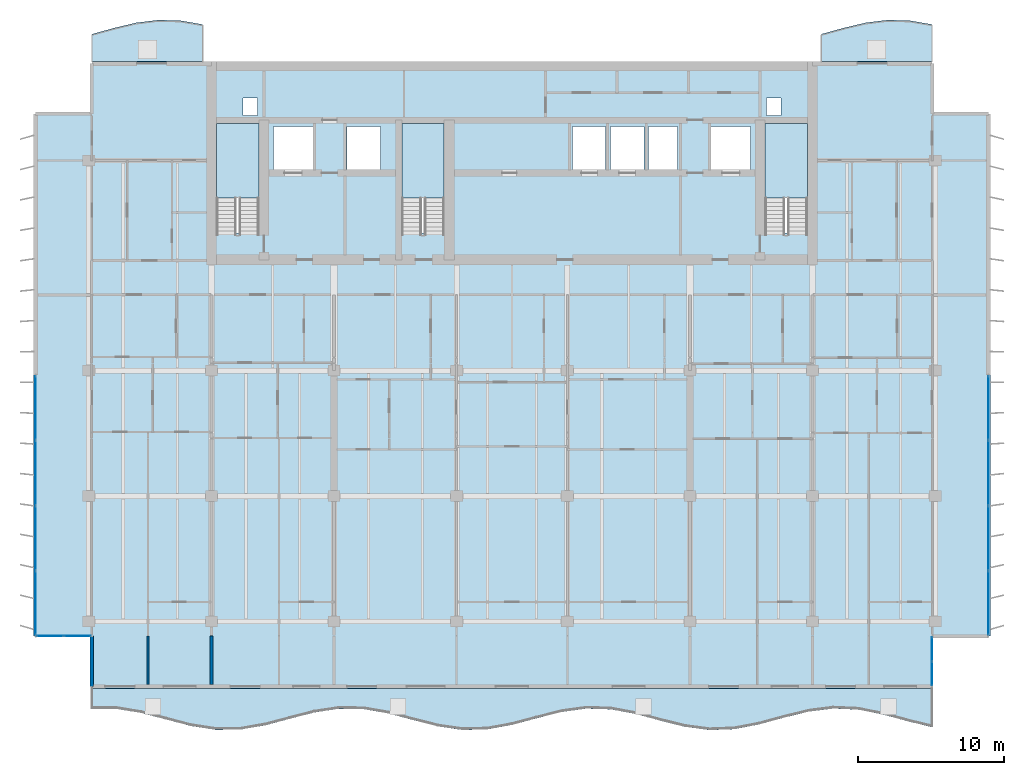
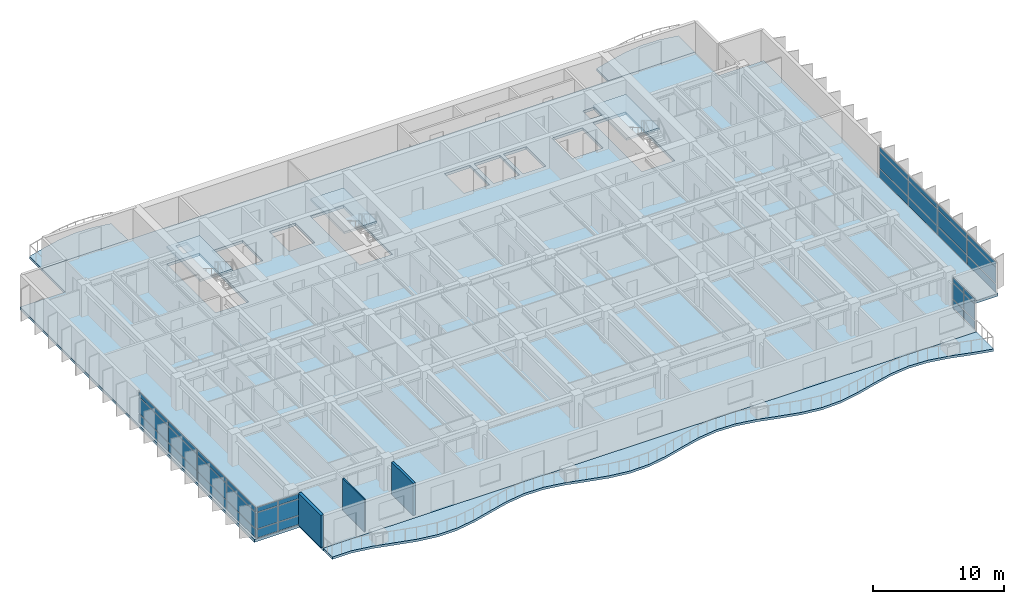
# One storey, part 7 of 18: 36 plates, 7 slabs, 3 walls, 7 elements without a shape of their own.
"""IFC4 building model written with IfcOpenShell, lengths in metres."""

from ifc_helpers import new_model, si_unit, direction, frame, frame_2d, origin, origin_2d, place, context, subcontext, project, spatial, polyline, rectangle, outline, extrude, material, layer, layer_set, type_object, element, aggregate, save


model = new_model("IFC4")

# Units and contexts
model_context = context("Model", 3, precision=1e-05, world=origin(), true_north=direction((0.0, 1.0)))
body_context = subcontext(model_context, "Body", "Model", "MODEL_VIEW")
ifc_project = project(units=[si_unit("LENGTHUNIT", "METRE"), si_unit("AREAUNIT", "SQUARE_METRE"), si_unit("VOLUMEUNIT", "CUBIC_METRE"), si_unit("PLANEANGLEUNIT", "RADIAN"), si_unit("MASSUNIT", "GRAM", prefix="KILO")], contexts=[model_context])

# Site, building, storey
site_placement = place(None, origin())
site = spatial("IfcSite", under=ifc_project, at=site_placement, CompositionType="ELEMENT")
building_placement = place(site_placement, origin())
building = spatial("IfcBuilding", under=site, at=building_placement, Name="Caelmar Bay Residences", CompositionType="ELEMENT")
storey_placement = place(building_placement, frame((0.0, 0.0, 180.300048828125)))
storey = spatial("IfcBuildingStorey", under=building, at=storey_placement, Name="L50", CompositionType="ELEMENT", Elevation=180.300048828125)

# Curtain wall, plates
ifc_material_1 = material(Name="Anodised bronze aluminium 6063-T6 and laminated glass", Category="aluminium")
ifc_layer_1 = layer(ifc_material_1, 0.179931640625)
ifc_layer_set_1 = layer_set([ifc_layer_1], Name="Anodised bronze aluminium 6063-T6 and laminated glass")
curtain_wall_type_1 = type_object("IfcCurtainWallType", Name="CW6-NTC", PredefinedType="NOTDEFINED", material=ifc_layer_set_1)
curtain_wall_1_placement = place(storey_placement, origin())
curtain_wall_1 = element("IfcCurtainWall", 1, at=curtain_wall_1_placement, inside=storey, type_object=curtain_wall_type_1, Name="CW6 curtain wall L50", PredefinedType="NOTDEFINED")
ifc_material_2 = material(Name="Bronze-tinted laminated low-E hurricane glass 28 mm", Category="glass")
ifc_layer_2 = layer(ifc_material_2, 0.028076171875)
ifc_layer_set_2 = layer_set([ifc_layer_2], Name="Bronze-tinted laminated low-E hurricane glass 28 mm")
plate_type = type_object("IfcPlateType", Name="CWP-GLZ28", PredefinedType="CURTAIN_PANEL", material=ifc_layer_set_2)
plate_1_placement = place(storey_placement, frame((7.232421875, 11.199951171875, 0.080078125), z_axis=(0.0, 0.0, 1.0), x_axis=(1.0, 0.0, 0.0)))
plate_1 = element("IfcPlate", 2, at=plate_1_placement, type_object=plate_type, Name="CW6 panel 1.1", PredefinedType="CURTAIN_PANEL", context=body_context, shape_type="SweptSolid", body=[
    extrude(rectangle(XDim=1.804931640625, YDim=0.028076171875, at=origin_2d()), origin(), (0.0, 0.0, 1.0), 0.780029296875),
])
plate_2_placement = place(storey_placement, frame((7.232421875, 11.199951171875, 0.93994140625), z_axis=(0.0, 0.0, 1.0), x_axis=(1.0, 0.0, 0.0)))
plate_2 = element("IfcPlate", 3, at=plate_2_placement, type_object=plate_type, Name="CW6 panel 1.2", PredefinedType="CURTAIN_PANEL", context=body_context, shape_type="SweptSolid", body=[
    extrude(rectangle(XDim=1.804931640625, YDim=0.028076171875, at=origin_2d()), origin(), (0.0, 0.0, 1.0), 1.469970703125),
])
plate_3_placement = place(storey_placement, frame((7.232421875, 11.199951171875, 2.48974609375), z_axis=(0.0, 0.0, 1.0), x_axis=(1.0, 0.0, 0.0)))
plate_3 = element("IfcPlate", 4, at=plate_3_placement, type_object=plate_type, Name="CW6 panel 1.3", PredefinedType="CURTAIN_PANEL", context=body_context, shape_type="SweptSolid", body=[
    extrude(rectangle(XDim=1.804931640625, YDim=0.028076171875, at=origin_2d()), origin(), (0.0, 0.0, 1.0), 0.429931640625),
])
plate_4_placement = place(storey_placement, frame((9.117431640625, 11.199951171875, 0.080078125), z_axis=(0.0, 0.0, 1.0), x_axis=(1.0, 0.0, 0.0)))
plate_4 = element("IfcPlate", 5, at=plate_4_placement, type_object=plate_type, Name="CW6 panel 2.1", PredefinedType="CURTAIN_PANEL", context=body_context, shape_type="SweptSolid", body=[
    extrude(rectangle(XDim=1.804931640625, YDim=0.028076171875, at=origin_2d()), origin(), (0.0, 0.0, 1.0), 0.780029296875),
])
plate_5_placement = place(storey_placement, frame((9.117431640625, 11.199951171875, 0.93994140625), z_axis=(0.0, 0.0, 1.0), x_axis=(1.0, 0.0, 0.0)))
plate_5 = element("IfcPlate", 6, at=plate_5_placement, type_object=plate_type, Name="CW6 panel 2.2", PredefinedType="CURTAIN_PANEL", context=body_context, shape_type="SweptSolid", body=[
    extrude(rectangle(XDim=1.804931640625, YDim=0.028076171875, at=origin_2d()), origin(), (0.0, 0.0, 1.0), 1.469970703125),
])
plate_6_placement = place(storey_placement, frame((9.117431640625, 11.199951171875, 2.48974609375), z_axis=(0.0, 0.0, 1.0), x_axis=(1.0, 0.0, 0.0)))
plate_6 = element("IfcPlate", 7, at=plate_6_placement, type_object=plate_type, Name="CW6 panel 2.3", PredefinedType="CURTAIN_PANEL", context=body_context, shape_type="SweptSolid", body=[
    extrude(rectangle(XDim=1.804931640625, YDim=0.028076171875, at=origin_2d()), origin(), (0.0, 0.0, 1.0), 0.429931640625),
])
aggregate(curtain_wall_1, [plate_1, plate_2, plate_3, plate_4, plate_5, plate_6])

curtain_wall_2_placement = place(storey_placement, origin())
curtain_wall_2 = element("IfcCurtainWall", 8, at=curtain_wall_2_placement, inside=storey, type_object=curtain_wall_type_1, Name="CW6 curtain wall L50", PredefinedType="NOTDEFINED")
plate_7_placement = place(storey_placement, frame((67.699951171875, 8.632568359375, 0.080078125), z_axis=(0.0, 0.0, 1.0), x_axis=(0.0, 1.0, 0.0)))
plate_7 = element("IfcPlate", 9, at=plate_7_placement, type_object=plate_type, Name="CW6 panel 1.1", PredefinedType="CURTAIN_PANEL", context=body_context, shape_type="SweptSolid", body=[
    extrude(rectangle(XDim=1.60498046875, YDim=0.028076171875, at=origin_2d()), origin(), (0.0, 0.0, 1.0), 0.780029296875),
])
plate_8_placement = place(storey_placement, frame((67.699951171875, 8.632568359375, 0.93994140625), z_axis=(0.0, 0.0, 1.0), x_axis=(0.0, 1.0, 0.0)))
plate_8 = element("IfcPlate", 10, at=plate_8_placement, type_object=plate_type, Name="CW6 panel 1.2", PredefinedType="CURTAIN_PANEL", context=body_context, shape_type="SweptSolid", body=[
    extrude(rectangle(XDim=1.60498046875, YDim=0.028076171875, at=origin_2d()), origin(), (0.0, 0.0, 1.0), 1.469970703125),
])
plate_9_placement = place(storey_placement, frame((67.699951171875, 8.632568359375, 2.48974609375), z_axis=(0.0, 0.0, 1.0), x_axis=(0.0, 1.0, 0.0)))
plate_9 = element("IfcPlate", 11, at=plate_9_placement, type_object=plate_type, Name="CW6 panel 1.3", PredefinedType="CURTAIN_PANEL", context=body_context, shape_type="SweptSolid", body=[
    extrude(rectangle(XDim=1.60498046875, YDim=0.028076171875, at=origin_2d()), origin(), (0.0, 0.0, 1.0), 0.429931640625),
])
plate_10_placement = place(storey_placement, frame((67.699951171875, 10.3173828125, 0.080078125), z_axis=(0.0, 0.0, 1.0), x_axis=(0.0, 1.0, 0.0)))
plate_10 = element("IfcPlate", 12, at=plate_10_placement, type_object=plate_type, Name="CW6 panel 2.1", PredefinedType="CURTAIN_PANEL", context=body_context, shape_type="SweptSolid", body=[
    extrude(rectangle(XDim=1.60498046875, YDim=0.028076171875, at=origin_2d()), origin(), (0.0, 0.0, 1.0), 0.780029296875),
])
plate_11_placement = place(storey_placement, frame((67.699951171875, 10.3173828125, 0.93994140625), z_axis=(0.0, 0.0, 1.0), x_axis=(0.0, 1.0, 0.0)))
plate_11 = element("IfcPlate", 13, at=plate_11_placement, type_object=plate_type, Name="CW6 panel 2.2", PredefinedType="CURTAIN_PANEL", context=body_context, shape_type="SweptSolid", body=[
    extrude(rectangle(XDim=1.60498046875, YDim=0.028076171875, at=origin_2d()), origin(), (0.0, 0.0, 1.0), 1.469970703125),
])
plate_12_placement = place(storey_placement, frame((67.699951171875, 10.3173828125, 2.48974609375), z_axis=(0.0, 0.0, 1.0), x_axis=(0.0, 1.0, 0.0)))
plate_12 = element("IfcPlate", 14, at=plate_12_placement, type_object=plate_type, Name="CW6 panel 2.3", PredefinedType="CURTAIN_PANEL", context=body_context, shape_type="SweptSolid", body=[
    extrude(rectangle(XDim=1.60498046875, YDim=0.028076171875, at=origin_2d()), origin(), (0.0, 0.0, 1.0), 0.429931640625),
])
aggregate(curtain_wall_2, [plate_7, plate_8, plate_9, plate_10, plate_11, plate_12])

ifc_layer_3 = layer(ifc_material_1, 0.179931640625)
ifc_layer_set_3 = layer_set([ifc_layer_3], Name="Anodised bronze aluminium 6063-T6 and laminated glass")
curtain_wall_type_2 = type_object("IfcCurtainWallType", Name="CW4-Z3", PredefinedType="NOTDEFINED", material=ifc_layer_set_3)
curtain_wall_3_placement = place(storey_placement, origin())
curtain_wall_3 = element("IfcCurtainWall", 15, at=curtain_wall_3_placement, inside=storey, type_object=curtain_wall_type_2, Name="CW4 curtain wall L50", PredefinedType="NOTDEFINED")
plate_13_placement = place(storey_placement, frame((6.25, 13.45751953125, 0.080078125), z_axis=(0.0, 0.0, 1.0), x_axis=(0.0, 1.0, 0.0)))
plate_13 = element("IfcPlate", 16, at=plate_13_placement, type_object=plate_type, Name="CW4 panel 1.1", PredefinedType="CURTAIN_PANEL", context=body_context, shape_type="SweptSolid", body=[
    extrude(rectangle(XDim=4.35498046875, YDim=0.028076171875, at=origin_2d()), origin(), (0.0, 0.0, 1.0), 0.780029296875),
])
plate_14_placement = place(storey_placement, frame((6.25, 13.45751953125, 0.93994140625), z_axis=(0.0, 0.0, 1.0), x_axis=(0.0, 1.0, 0.0)))
plate_14 = element("IfcPlate", 17, at=plate_14_placement, type_object=plate_type, Name="CW4 panel 1.2", PredefinedType="CURTAIN_PANEL", context=body_context, shape_type="SweptSolid", body=[
    extrude(rectangle(XDim=4.35498046875, YDim=0.028076171875, at=origin_2d()), origin(), (0.0, 0.0, 1.0), 1.469970703125),
])
plate_15_placement = place(storey_placement, frame((6.25, 13.45751953125, 2.48974609375), z_axis=(0.0, 0.0, 1.0), x_axis=(0.0, 1.0, 0.0)))
plate_15 = element("IfcPlate", 18, at=plate_15_placement, type_object=plate_type, Name="CW4 panel 1.3", PredefinedType="CURTAIN_PANEL", context=body_context, shape_type="SweptSolid", body=[
    extrude(rectangle(XDim=4.35498046875, YDim=0.028076171875, at=origin_2d()), origin(), (0.0, 0.0, 1.0), 0.429931640625),
])
plate_16_placement = place(storey_placement, frame((6.25, 17.91259765625, 0.080078125), z_axis=(0.0, 0.0, 1.0), x_axis=(0.0, 1.0, 0.0)))
plate_16 = element("IfcPlate", 19, at=plate_16_placement, type_object=plate_type, Name="CW4 panel 2.1", PredefinedType="CURTAIN_PANEL", context=body_context, shape_type="SweptSolid", body=[
    extrude(rectangle(XDim=4.39501953125, YDim=0.028076171875, at=origin_2d()), origin(), (0.0, 0.0, 1.0), 0.780029296875),
])
plate_17_placement = place(storey_placement, frame((6.25, 17.91259765625, 0.93994140625), z_axis=(0.0, 0.0, 1.0), x_axis=(0.0, 1.0, 0.0)))
plate_17 = element("IfcPlate", 20, at=plate_17_placement, type_object=plate_type, Name="CW4 panel 2.2", PredefinedType="CURTAIN_PANEL", context=body_context, shape_type="SweptSolid", body=[
    extrude(rectangle(XDim=4.39501953125, YDim=0.028076171875, at=origin_2d()), origin(), (0.0, 0.0, 1.0), 1.469970703125),
])
plate_18_placement = place(storey_placement, frame((6.25, 17.91259765625, 2.48974609375), z_axis=(0.0, 0.0, 1.0), x_axis=(0.0, 1.0, 0.0)))
plate_18 = element("IfcPlate", 21, at=plate_18_placement, type_object=plate_type, Name="CW4 panel 2.3", PredefinedType="CURTAIN_PANEL", context=body_context, shape_type="SweptSolid", body=[
    extrude(rectangle(XDim=4.39501953125, YDim=0.028076171875, at=origin_2d()), origin(), (0.0, 0.0, 1.0), 0.429931640625),
])
plate_19_placement = place(storey_placement, frame((6.25, 22.387451171875, 0.080078125), z_axis=(0.0, 0.0, 1.0), x_axis=(0.0, 1.0, 0.0)))
plate_19 = element("IfcPlate", 22, at=plate_19_placement, type_object=plate_type, Name="CW4 panel 3.1", PredefinedType="CURTAIN_PANEL", context=body_context, shape_type="SweptSolid", body=[
    extrude(rectangle(XDim=4.39501953125, YDim=0.028076171875, at=origin_2d()), origin(), (0.0, 0.0, 1.0), 0.780029296875),
])
plate_20_placement = place(storey_placement, frame((6.25, 22.387451171875, 0.93994140625), z_axis=(0.0, 0.0, 1.0), x_axis=(0.0, 1.0, 0.0)))
plate_20 = element("IfcPlate", 23, at=plate_20_placement, type_object=plate_type, Name="CW4 panel 3.2", PredefinedType="CURTAIN_PANEL", context=body_context, shape_type="SweptSolid", body=[
    extrude(rectangle(XDim=4.39501953125, YDim=0.028076171875, at=origin_2d()), origin(), (0.0, 0.0, 1.0), 1.469970703125),
])
plate_21_placement = place(storey_placement, frame((6.25, 22.387451171875, 2.48974609375), z_axis=(0.0, 0.0, 1.0), x_axis=(0.0, 1.0, 0.0)))
plate_21 = element("IfcPlate", 24, at=plate_21_placement, type_object=plate_type, Name="CW4 panel 3.3", PredefinedType="CURTAIN_PANEL", context=body_context, shape_type="SweptSolid", body=[
    extrude(rectangle(XDim=4.39501953125, YDim=0.028076171875, at=origin_2d()), origin(), (0.0, 0.0, 1.0), 0.429931640625),
])
plate_22_placement = place(storey_placement, frame((6.25, 26.842529296875, 0.080078125), z_axis=(0.0, 0.0, 1.0), x_axis=(0.0, 1.0, 0.0)))
plate_22 = element("IfcPlate", 25, at=plate_22_placement, type_object=plate_type, Name="CW4 panel 4.1", PredefinedType="CURTAIN_PANEL", context=body_context, shape_type="SweptSolid", body=[
    extrude(rectangle(XDim=4.35498046875, YDim=0.028076171875, at=origin_2d()), origin(), (0.0, 0.0, 1.0), 0.780029296875),
])
plate_23_placement = place(storey_placement, frame((6.25, 26.842529296875, 0.93994140625), z_axis=(0.0, 0.0, 1.0), x_axis=(0.0, 1.0, 0.0)))
plate_23 = element("IfcPlate", 26, at=plate_23_placement, type_object=plate_type, Name="CW4 panel 4.2", PredefinedType="CURTAIN_PANEL", context=body_context, shape_type="SweptSolid", body=[
    extrude(rectangle(XDim=4.35498046875, YDim=0.028076171875, at=origin_2d()), origin(), (0.0, 0.0, 1.0), 1.469970703125),
])
plate_24_placement = place(storey_placement, frame((6.25, 26.842529296875, 2.48974609375), z_axis=(0.0, 0.0, 1.0), x_axis=(0.0, 1.0, 0.0)))
plate_24 = element("IfcPlate", 27, at=plate_24_placement, type_object=plate_type, Name="CW4 panel 4.3", PredefinedType="CURTAIN_PANEL", context=body_context, shape_type="SweptSolid", body=[
    extrude(rectangle(XDim=4.35498046875, YDim=0.028076171875, at=origin_2d()), origin(), (0.0, 0.0, 1.0), 0.429931640625),
])
aggregate(curtain_wall_3, [plate_13, plate_14, plate_15, plate_16, plate_17, plate_18, plate_19, plate_20, plate_21, plate_22, plate_23, plate_24])

curtain_wall_4_placement = place(storey_placement, origin())
curtain_wall_4 = element("IfcCurtainWall", 28, at=curtain_wall_4_placement, inside=storey, type_object=curtain_wall_type_2, Name="CW4 curtain wall L50", PredefinedType="NOTDEFINED")
plate_25_placement = place(storey_placement, frame((71.550048828125, 26.842529296875, 0.080078125), z_axis=(0.0, 0.0, 1.0), x_axis=(0.0, -1.0, 0.0)))
plate_25 = element("IfcPlate", 29, at=plate_25_placement, type_object=plate_type, Name="CW4 panel 1.1", PredefinedType="CURTAIN_PANEL", context=body_context, shape_type="SweptSolid", body=[
    extrude(rectangle(XDim=4.35498046875, YDim=0.028076171875, at=origin_2d()), origin(), (0.0, 0.0, 1.0), 0.780029296875),
])
plate_26_placement = place(storey_placement, frame((71.550048828125, 26.842529296875, 0.93994140625), z_axis=(0.0, 0.0, 1.0), x_axis=(0.0, -1.0, 0.0)))
plate_26 = element("IfcPlate", 30, at=plate_26_placement, type_object=plate_type, Name="CW4 panel 1.2", PredefinedType="CURTAIN_PANEL", context=body_context, shape_type="SweptSolid", body=[
    extrude(rectangle(XDim=4.35498046875, YDim=0.028076171875, at=origin_2d()), origin(), (0.0, 0.0, 1.0), 1.469970703125),
])
plate_27_placement = place(storey_placement, frame((71.550048828125, 26.842529296875, 2.48974609375), z_axis=(0.0, 0.0, 1.0), x_axis=(0.0, -1.0, 0.0)))
plate_27 = element("IfcPlate", 31, at=plate_27_placement, type_object=plate_type, Name="CW4 panel 1.3", PredefinedType="CURTAIN_PANEL", context=body_context, shape_type="SweptSolid", body=[
    extrude(rectangle(XDim=4.35498046875, YDim=0.028076171875, at=origin_2d()), origin(), (0.0, 0.0, 1.0), 0.429931640625),
])
plate_28_placement = place(storey_placement, frame((71.550048828125, 22.387451171875, 0.080078125), z_axis=(0.0, 0.0, 1.0), x_axis=(0.0, -1.0, 0.0)))
plate_28 = element("IfcPlate", 32, at=plate_28_placement, type_object=plate_type, Name="CW4 panel 2.1", PredefinedType="CURTAIN_PANEL", context=body_context, shape_type="SweptSolid", body=[
    extrude(rectangle(XDim=4.39501953125, YDim=0.028076171875, at=origin_2d()), origin(), (0.0, 0.0, 1.0), 0.780029296875),
])
plate_29_placement = place(storey_placement, frame((71.550048828125, 22.387451171875, 0.93994140625), z_axis=(0.0, 0.0, 1.0), x_axis=(0.0, -1.0, 0.0)))
plate_29 = element("IfcPlate", 33, at=plate_29_placement, type_object=plate_type, Name="CW4 panel 2.2", PredefinedType="CURTAIN_PANEL", context=body_context, shape_type="SweptSolid", body=[
    extrude(rectangle(XDim=4.39501953125, YDim=0.028076171875, at=origin_2d()), origin(), (0.0, 0.0, 1.0), 1.469970703125),
])
plate_30_placement = place(storey_placement, frame((71.550048828125, 22.387451171875, 2.48974609375), z_axis=(0.0, 0.0, 1.0), x_axis=(0.0, -1.0, 0.0)))
plate_30 = element("IfcPlate", 34, at=plate_30_placement, type_object=plate_type, Name="CW4 panel 2.3", PredefinedType="CURTAIN_PANEL", context=body_context, shape_type="SweptSolid", body=[
    extrude(rectangle(XDim=4.39501953125, YDim=0.028076171875, at=origin_2d()), origin(), (0.0, 0.0, 1.0), 0.429931640625),
])
plate_31_placement = place(storey_placement, frame((71.550048828125, 17.91259765625, 0.080078125), z_axis=(0.0, 0.0, 1.0), x_axis=(0.0, -1.0, 0.0)))
plate_31 = element("IfcPlate", 35, at=plate_31_placement, type_object=plate_type, Name="CW4 panel 3.1", PredefinedType="CURTAIN_PANEL", context=body_context, shape_type="SweptSolid", body=[
    extrude(rectangle(XDim=4.39501953125, YDim=0.028076171875, at=origin_2d()), origin(), (0.0, 0.0, 1.0), 0.780029296875),
])
plate_32_placement = place(storey_placement, frame((71.550048828125, 17.91259765625, 0.93994140625), z_axis=(0.0, 0.0, 1.0), x_axis=(0.0, -1.0, 0.0)))
plate_32 = element("IfcPlate", 36, at=plate_32_placement, type_object=plate_type, Name="CW4 panel 3.2", PredefinedType="CURTAIN_PANEL", context=body_context, shape_type="SweptSolid", body=[
    extrude(rectangle(XDim=4.39501953125, YDim=0.028076171875, at=origin_2d()), origin(), (0.0, 0.0, 1.0), 1.469970703125),
])
plate_33_placement = place(storey_placement, frame((71.550048828125, 17.91259765625, 2.48974609375), z_axis=(0.0, 0.0, 1.0), x_axis=(0.0, -1.0, 0.0)))
plate_33 = element("IfcPlate", 37, at=plate_33_placement, type_object=plate_type, Name="CW4 panel 3.3", PredefinedType="CURTAIN_PANEL", context=body_context, shape_type="SweptSolid", body=[
    extrude(rectangle(XDim=4.39501953125, YDim=0.028076171875, at=origin_2d()), origin(), (0.0, 0.0, 1.0), 0.429931640625),
])
plate_34_placement = place(storey_placement, frame((71.550048828125, 13.45751953125, 0.080078125), z_axis=(0.0, 0.0, 1.0), x_axis=(0.0, -1.0, 0.0)))
plate_34 = element("IfcPlate", 38, at=plate_34_placement, type_object=plate_type, Name="CW4 panel 4.1", PredefinedType="CURTAIN_PANEL", context=body_context, shape_type="SweptSolid", body=[
    extrude(rectangle(XDim=4.35498046875, YDim=0.028076171875, at=origin_2d()), origin(), (0.0, 0.0, 1.0), 0.780029296875),
])
plate_35_placement = place(storey_placement, frame((71.550048828125, 13.45751953125, 0.93994140625), z_axis=(0.0, 0.0, 1.0), x_axis=(0.0, -1.0, 0.0)))
plate_35 = element("IfcPlate", 39, at=plate_35_placement, type_object=plate_type, Name="CW4 panel 4.2", PredefinedType="CURTAIN_PANEL", context=body_context, shape_type="SweptSolid", body=[
    extrude(rectangle(XDim=4.35498046875, YDim=0.028076171875, at=origin_2d()), origin(), (0.0, 0.0, 1.0), 1.469970703125),
])
plate_36_placement = place(storey_placement, frame((71.550048828125, 13.45751953125, 2.48974609375), z_axis=(0.0, 0.0, 1.0), x_axis=(0.0, -1.0, 0.0)))
plate_36 = element("IfcPlate", 40, at=plate_36_placement, type_object=plate_type, Name="CW4 panel 4.3", PredefinedType="CURTAIN_PANEL", context=body_context, shape_type="SweptSolid", body=[
    extrude(rectangle(XDim=4.35498046875, YDim=0.028076171875, at=origin_2d()), origin(), (0.0, 0.0, 1.0), 0.429931640625),
])
aggregate(curtain_wall_4, [plate_25, plate_26, plate_27, plate_28, plate_29, plate_30, plate_31, plate_32, plate_33, plate_34, plate_35, plate_36])

# Slabs
ifc_material_3 = material(Name="Concrete f'c 40 MPa (6,000 psi)", Category="concrete")
ifc_layer_4 = layer(ifc_material_3, 0.219970703125)
ifc_layer_set_4 = layer_set([ifc_layer_4], Name="Concrete f'c 40 MPa (6,000 psi)")
slab_type_1 = type_object("IfcSlabType", Name="SLB-BAL-220", PredefinedType="FLOOR", material=ifc_layer_set_4)
slab_1_placement = place(storey_placement, frame((0.0, 0.0, -0.219970703125)))
element("IfcSlab", 41, at=slab_1_placement, inside=storey, type_object=slab_type_1, Name="L50 Sinusoidal Tree-Balcony Slab south", PredefinedType="FLOOR", context=body_context, shape_type="SweptSolid", body=[
    extrude(outline(polyline([(10.10009765625, 6.21337890625), (11.794189453125, 6.212158203125), (13.48828125, 5.934326171875), (15.182373046875, 5.488037109375), (16.87646484375, 5.04638671875), (18.570556640625, 4.78076171875), (20.2646484375, 4.79443359375), (21.958740234375, 5.081787109375), (23.65283203125, 5.53173828125), (25.34716796875, 5.96923828125), (27.041259765625, 6.224609375), (28.7353515625, 6.198486328125), (30.429443359375, 5.901611328125), (32.12353515625, 5.448486328125), (33.817626953125, 5.015625), (35.51171875, 4.7705078125), (37.205810546875, 4.808837890625), (38.89990234375, 5.115234375), (40.593994140625, 5.5712890625), (42.2880859375, 5.99951171875), (43.982421875, 6.23388671875), (45.676513671875, 6.183349609375), (47.37060546875, 5.867431640625), (49.064697265625, 5.4091796875), (50.7587890625, 4.986083984375), (52.452880859375, 4.762451171875), (54.147216796875, 4.8251953125), (55.84130859375, 5.14990234375), (57.535400390625, 5.610595703125), (59.2294921875, 6.0283203125), (60.923583984375, 6.240966796875), (62.61767578125, 6.166015625), (64.311767578125, 5.83251953125), (66.005859375, 5.3701171875), (67.699951171875, 4.9580078125), (67.699951171875, 7.60009765625), (10.10009765625, 7.60009765625), (10.10009765625, 6.21337890625)])), origin(), (0.0, 0.0, 1.0), 0.219970703125),
])
slab_2_placement = place(storey_placement, frame((0.0, 0.0, -0.219970703125)))
element("IfcSlab", 42, at=slab_2_placement, inside=storey, type_object=slab_type_1, Name="L50 Sinusoidal Tree-Balcony Slab north_west", PredefinedType="FLOOR", context=body_context, shape_type="SweptSolid", body=[
    extrude(outline(polyline([(10.10009765625, 50.60009765625), (17.699951171875, 50.60009765625), (17.699951171875, 53.131591796875), (16.179931640625, 53.39404296875), (14.659912109375, 53.43798828125), (13.139892578125, 53.249755859375), (11.6201171875, 52.888671875), (10.10009765625, 52.46826171875), (10.10009765625, 50.60009765625)])), origin(), (0.0, 0.0, 1.0), 0.219970703125),
])
slab_3_placement = place(storey_placement, frame((0.0, 0.0, -0.219970703125)))
element("IfcSlab", 43, at=slab_3_placement, inside=storey, type_object=slab_type_1, Name="L50 Sinusoidal Tree-Balcony Slab north_east", PredefinedType="FLOOR", context=body_context, shape_type="SweptSolid", body=[
    extrude(outline(polyline([(60.10009765625, 50.60009765625), (67.699951171875, 50.60009765625), (67.699951171875, 53.131591796875), (66.179931640625, 53.39404296875), (64.659912109375, 53.43798828125), (63.139892578125, 53.249755859375), (61.6201171875, 52.888671875), (60.10009765625, 52.46826171875), (60.10009765625, 50.60009765625)])), origin(), (0.0, 0.0, 1.0), 0.219970703125),
])

# Stair, slab
stair_type = type_object("IfcStairType", Name="ST-TYP-165", PredefinedType="HALF_TURN_STAIR", material=ifc_material_3)
stair_1_placement = place(storey_placement, origin())
stair_1 = element("IfcStair", 44, at=stair_1_placement, inside=storey, type_object=stair_type, Name="L50 West Smokeproof Exit Stair ST1", PredefinedType="HALF_TURN_STAIR")
ifc_layer_5 = layer(ifc_material_3, 0.199951171875)
ifc_layer_set_5 = layer_set([ifc_layer_5], Name="Concrete f'c 40 MPa (6,000 psi)")
slab_type_2 = type_object("IfcSlabType", Name="SLB-LND-200", PredefinedType="LANDING", material=ifc_layer_set_5)
slab_4_placement = place(storey_placement, frame((0.0, 0.0, 1.449951171875)))
slab_4 = element("IfcSlab", 45, at=slab_4_placement, type_object=slab_type_2, Name="ST1 landing 1", PredefinedType="LANDING", context=body_context, shape_type="SweptSolid", body=[
    extrude(outline(polyline([(21.550048828125, 41.219970703125), (21.550048828125, 46.35009765625), (18.64990234375, 46.35009765625), (18.64990234375, 41.219970703125), (21.550048828125, 41.219970703125)])), origin(), (0.0, 0.0, 1.0), 0.199951171875),
])
aggregate(stair_1, [slab_4])

stair_2_placement = place(storey_placement, origin())
stair_2 = element("IfcStair", 46, at=stair_2_placement, inside=storey, type_object=stair_type, Name="L50 East Smokeproof Exit Stair ST2", PredefinedType="HALF_TURN_STAIR")
slab_5_placement = place(storey_placement, frame((0.0, 0.0, 1.449951171875)))
slab_5 = element("IfcSlab", 47, at=slab_5_placement, type_object=slab_type_2, Name="ST2 landing 1", PredefinedType="LANDING", context=body_context, shape_type="SweptSolid", body=[
    extrude(outline(polyline([(59.14990234375, 41.219970703125), (59.14990234375, 46.35009765625), (56.25, 46.35009765625), (56.25, 41.219970703125), (59.14990234375, 41.219970703125)])), origin(), (0.0, 0.0, 1.0), 0.199951171875),
])
aggregate(stair_2, [slab_5])

stair_3_placement = place(storey_placement, origin())
stair_3 = element("IfcStair", 48, at=stair_3_placement, inside=storey, type_object=stair_type, Name="L50 Central Smokeproof Exit Stair ST3", PredefinedType="HALF_TURN_STAIR")
slab_6_placement = place(storey_placement, frame((0.0, 0.0, 1.449951171875)))
slab_6 = element("IfcSlab", 49, at=slab_6_placement, type_object=slab_type_2, Name="ST3 landing 1", PredefinedType="LANDING", context=body_context, shape_type="SweptSolid", body=[
    extrude(outline(polyline([(34.25, 41.219970703125), (34.25, 46.35009765625), (31.35009765625, 46.35009765625), (31.35009765625, 41.219970703125), (34.25, 41.219970703125)])), origin(), (0.0, 0.0, 1.0), 0.199951171875),
])
aggregate(stair_3, [slab_6])

# Slab
ifc_layer_6 = layer(ifc_material_3, 0.25)
ifc_layer_set_6 = layer_set([ifc_layer_6], Name="Concrete f'c 40 MPa (6,000 psi)")
slab_type_3 = type_object("IfcSlabType", Name="SLB-RES-250", PredefinedType="FLOOR", material=ifc_layer_set_6)
slab_7_placement = place(storey_placement, frame((0.0, 0.0, -0.25)))
element("IfcSlab", 50, at=slab_7_placement, inside=storey, type_object=slab_type_3, Name="L50 Structural Floor Slab", PredefinedType="FLOOR", context=body_context, shape_type="SweptSolid", body=[
    extrude(outline(polyline([(10.10009765625, 7.60009765625), (67.699951171875, 7.60009765625), (67.699951171875, 11.199951171875), (71.699951171875, 11.199951171875), (71.699951171875, 47.0), (67.699951171875, 47.0), (67.699951171875, 50.60009765625), (10.10009765625, 50.60009765625), (10.10009765625, 47.0), (6.10009765625, 47.0), (6.10009765625, 11.199951171875), (10.10009765625, 11.199951171875), (10.10009765625, 7.60009765625)]), holes=[polyline([(18.64990234375, 38.85009765625), (21.550048828125, 38.85009765625), (21.550048828125, 46.35009765625), (18.64990234375, 46.35009765625), (18.64990234375, 38.85009765625)]), polyline([(56.25, 38.85009765625), (59.14990234375, 38.85009765625), (59.14990234375, 46.35009765625), (56.25, 46.35009765625), (56.25, 38.85009765625)]), polyline([(31.35009765625, 38.85009765625), (34.25, 38.85009765625), (34.25, 46.35009765625), (31.35009765625, 46.35009765625), (31.35009765625, 38.85009765625)]), polyline([(22.550048828125, 43.050048828125), (25.25, 43.050048828125), (25.25, 46.14990234375), (22.550048828125, 46.14990234375), (22.550048828125, 43.050048828125)]), polyline([(52.550048828125, 43.050048828125), (55.25, 43.050048828125), (55.25, 46.14990234375), (52.550048828125, 46.14990234375), (52.550048828125, 43.050048828125)]), polyline([(43.050048828125, 43.14990234375), (45.300048828125, 43.14990234375), (45.300048828125, 46.14990234375), (43.050048828125, 46.14990234375), (43.050048828125, 43.14990234375)]), polyline([(45.64990234375, 43.14990234375), (47.949951171875, 43.14990234375), (47.949951171875, 46.14990234375), (45.64990234375, 46.14990234375), (45.64990234375, 43.14990234375)]), polyline([(48.25, 43.14990234375), (50.25, 43.14990234375), (50.25, 46.14990234375), (48.25, 46.14990234375), (48.25, 43.14990234375)]), polyline([(27.60009765625, 43.14990234375), (29.89990234375, 43.14990234375), (29.89990234375, 46.14990234375), (27.60009765625, 46.14990234375), (27.60009765625, 43.14990234375)]), polyline([(20.449951171875, 46.89990234375), (21.449951171875, 46.89990234375), (21.449951171875, 48.10009765625), (20.449951171875, 48.10009765625), (20.449951171875, 46.89990234375)]), polyline([(56.35009765625, 46.89990234375), (57.35009765625, 46.89990234375), (57.35009765625, 48.10009765625), (56.35009765625, 48.10009765625), (56.35009765625, 46.89990234375)])]), origin(), (0.0, 0.0, 1.0), 0.25),
])

# Walls
ifc_material_4 = material(Name="Precast concrete f'c 40 MPa (6,000 psi)", Category="concrete")
ifc_layer_7 = layer(ifc_material_4, 0.25)
ifc_layer_set_7 = layer_set([ifc_layer_7], Name="Precast concrete f'c 40 MPa (6,000 psi)")
wall_type_1 = type_object("IfcWallType", Name="W-EXT-250", PredefinedType="ELEMENTEDWALL", material=ifc_layer_set_7)
wall_1_placement = place(storey_placement, frame((10.10009765625, 11.199951171875, 0.0), z_axis=(0.0, 0.0, 1.0), x_axis=(0.0, -1.0, 0.0)))
element("IfcWall", 51, at=wall_1_placement, inside=storey, type_object=wall_type_1, Name="L50 SW Notch Return Wall", PredefinedType="ELEMENTEDWALL", context=body_context, shape_type="SweptSolid", body=[
    extrude(rectangle(XDim=3.449951171875, YDim=0.25, at=frame_2d((1.72509765625, 0.0))), origin(), (0.0, 0.0, 1.0), 3.0),
])
ifc_material_5 = material(Name="Acoustic metal-stud gypsum partition 120 mm")
ifc_layer_8 = layer(ifc_material_5, 0.1201171875)
ifc_layer_set_8 = layer_set([ifc_layer_8], Name="Acoustic metal-stud gypsum partition 120 mm")
wall_type_2 = type_object("IfcWallType", Name="W-PRT-120", PredefinedType="PARTITIONING", material=ifc_layer_set_8)
wall_2_placement = place(storey_placement, frame((13.9541015625, 7.89501953125, 0.0), z_axis=(0.0, 0.0, 1.0), x_axis=(0.0, 1.0, 0.0)))
element("IfcWall", 52, at=wall_2_placement, inside=storey, type_object=wall_type_2, Name="L50 Partition Wall V010", PredefinedType="PARTITIONING", context=body_context, shape_type="SweptSolid", body=[
    extrude(rectangle(XDim=3.304931640625, YDim=0.1201171875, at=frame_2d((1.65234375, 0.0))), origin(), (0.0, 0.0, 1.0), 3.0),
])
ifc_material_6 = material(Name="Acoustic twin-stud fire-rated inter-tenancy partition 200 mm")
ifc_layer_9 = layer(ifc_material_6, 0.199951171875)
ifc_layer_set_9 = layer_set([ifc_layer_9], Name="Acoustic twin-stud fire-rated inter-tenancy partition 200 mm")
wall_type_3 = type_object("IfcWallType", Name="W-PTY-200", PredefinedType="PARTITIONING", material=ifc_layer_set_9)
wall_3_placement = place(storey_placement, frame((18.300048828125, 7.89501953125, 0.0), z_axis=(0.0, 0.0, 1.0), x_axis=(0.0, 1.0, 0.0)))
element("IfcWall", 53, at=wall_3_placement, inside=storey, type_object=wall_type_3, Name="L50 Partition Wall V017", PredefinedType="PARTITIONING", context=body_context, shape_type="SweptSolid", body=[
    extrude(rectangle(XDim=3.304931640625, YDim=0.199951171875, at=frame_2d((1.65234375, 0.0))), origin(), (0.0, 0.0, 1.0), 3.0),
])

save(model, "model.ifc")
